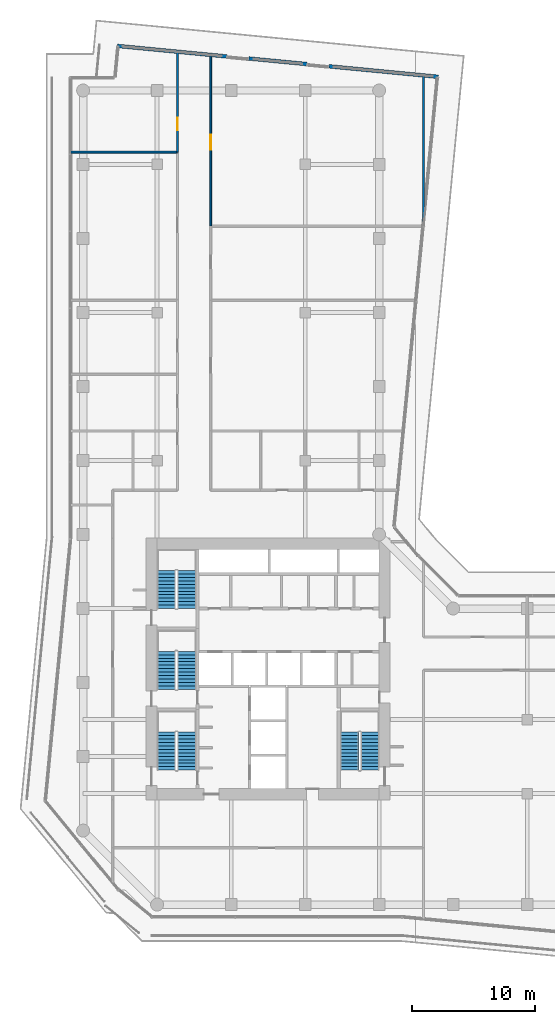
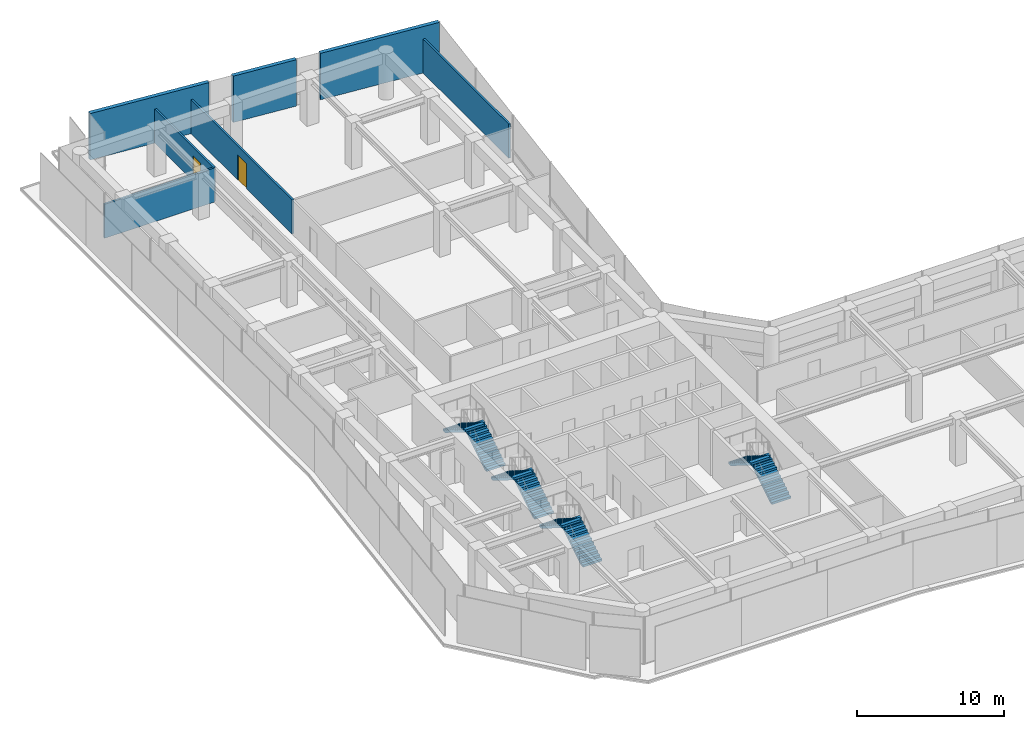
# One storey, part 29 of 31: 8 stair flights, 7 walls, 2 doors, 2 openings, 4 elements without a shape of their own.
"""IFC4 building model written with IfcOpenShell, lengths in metres."""

import ifcopenshell
import ifcopenshell.guid

model = None  # the IFC model being written
_history = None  # IfcOwnerHistory: only IFC2X3 demands one
_inside = {}  # id of a spatial element -> (the spatial element, [elements in it])
_under = {}  # id of a project, library or spatial element -> (it, [spatial elements below it])
_declared = {}  # id of a project -> (the project, [libraries it declares])
_typed = {}  # id of a type object -> (the type object, [elements of that type])
_made_of = {}  # id of a material, layer set ... -> (it, [elements and type objects made of it])


def new_model(schema):
    """Start an empty IFC model of exactly this schema.

    Asked for "IFC4X3", IfcOpenShell would pick the latest addendum, in which some entities
    have other attributes; the version numbers below select the first issue.
    IFC2X3 requires an IfcOwnerHistory on every rooted entity: one is made here for all.
    """
    global model, _history
    if schema == "IFC4X3":
        model = ifcopenshell.file(schema_version=(4, 3, 0, 0))
    else:
        model = ifcopenshell.file(schema=schema)
    _inside.clear()
    _under.clear()
    _declared.clear()
    _typed.clear()
    _made_of.clear()
    _history = None
    if model.schema == "IFC2X3":
        org = make("IfcOrganization", Name="unknown")
        user = make(
            "IfcPersonAndOrganization",
            ThePerson=make("IfcPerson", FamilyName="unknown"),
            TheOrganization=org,
        )
        app = make(
            "IfcApplication",
            ApplicationDeveloper=org,
            Version="unknown",
            ApplicationFullName="unknown",
            ApplicationIdentifier="unknown",
        )
        _history = make(
            "IfcOwnerHistory",
            OwningUser=user,
            OwningApplication=app,
            ChangeAction="ADDED",
            CreationDate=0,
        )
    return model


def make(cls, **values):
    """One entity of the class cls with the attributes given. An attribute that is None is left unset."""
    return model.create_entity(
        cls, **{name: value for name, value in values.items() if value is not None}
    )


def rooted(cls, **values):
    """An entity with a GlobalId (a new one), such as an element, a storey or a relation."""
    return make(cls, GlobalId=ifcopenshell.guid.new(), OwnerHistory=_history, **values)


def si_unit(unit_type, name, prefix=None):
    """IfcSIUnit, for example si_unit("LENGTHUNIT", "METRE", prefix="MILLI")."""
    return make("IfcSIUnit", UnitType=unit_type, Prefix=prefix, Name=name)


def assignment(units):
    """IfcUnitAssignment: the units of a project."""
    return None if units is None else make("IfcUnitAssignment", Units=units)


def point(xyz):
    """IfcCartesianPoint."""
    return None if xyz is None else make("IfcCartesianPoint", Coordinates=xyz)


def direction(xyz):
    """IfcDirection."""
    return None if xyz is None else make("IfcDirection", DirectionRatios=xyz)


def frame(location, z_axis=None, x_axis=None):
    """IfcAxis2Placement3D, a coordinate frame: its origin and axes. An axis left out is left unset."""
    return make(
        "IfcAxis2Placement3D",
        Location=point(location),
        Axis=direction(z_axis),
        RefDirection=direction(x_axis),
    )


def frame_2d(location, x_axis=None):
    """IfcAxis2Placement2D, a coordinate frame in the plane: its origin and x axis."""
    return make(
        "IfcAxis2Placement2D", Location=point(location), RefDirection=direction(x_axis)
    )


def origin():
    """The frame at (0, 0, 0) with its axes left unset."""
    return frame((0.0, 0.0, 0.0))


def place(relative_to, where):
    """IfcLocalPlacement: puts the frame where relative to a parent placement (None: the world)."""
    return make(
        "IfcLocalPlacement", PlacementRelTo=relative_to, RelativePlacement=where
    )


def context(
    kind, dimensions, precision=None, world=None, true_north=None, identifier=None
):
    """IfcGeometricRepresentationContext, for example the 3D "Model" context."""
    return make(
        "IfcGeometricRepresentationContext",
        ContextIdentifier=identifier,
        ContextType=kind,
        CoordinateSpaceDimension=dimensions,
        Precision=precision,
        WorldCoordinateSystem=world,
        TrueNorth=true_north,
    )


def subcontext(parent, identifier, kind, view, scale=None):
    """IfcGeometricRepresentationSubContext, for example "Body" below "Model"."""
    return make(
        "IfcGeometricRepresentationSubContext",
        ContextIdentifier=identifier,
        ContextType=kind,
        ParentContext=parent,
        TargetScale=scale,
        TargetView=view,
    )


def project(units=None, contexts=None):
    """IfcProject with its units and contexts."""
    return rooted(
        "IfcProject",
        Name="project",
        RepresentationContexts=contexts,
        UnitsInContext=assignment(units),
    )


def spatial(cls, under=None, at=None, **own):
    """A site, building, storey or space (cls), placed at a placement, below another one or the project."""
    s = rooted(cls, ObjectPlacement=at, **own)
    if under is not None:
        _under.setdefault(under.id(), (under, []))[1].append(s)
    return s


def polyline(points):
    """IfcPolyline through the points."""
    return make("IfcPolyline", Points=[point(p) for p in points])


def profile(cls, at=None, kind="AREA", **sizes):
    """A parametric profile (cls). Its sizes go by their IFC names, for example OverallWidth=200.0."""
    return make(cls, ProfileType=kind, Position=at, **sizes)


def rectangle(**sizes):
    """IfcRectangleProfileDef."""
    return profile("IfcRectangleProfileDef", **sizes)


def outline(outer, holes=None, kind="AREA"):
    """IfcArbitraryClosedProfileDef: a profile drawn as a closed curve; with holes, ...WithVoids."""
    if holes is None:
        return make("IfcArbitraryClosedProfileDef", ProfileType=kind, OuterCurve=outer)
    return make(
        "IfcArbitraryProfileDefWithVoids",
        ProfileType=kind,
        OuterCurve=outer,
        InnerCurves=holes,
    )


def extrude(swept, where, along, depth):
    """IfcExtrudedAreaSolid: the profile swept, set in the frame where, extruded along a direction by depth."""
    return make(
        "IfcExtrudedAreaSolid",
        SweptArea=swept,
        Position=where,
        ExtrudedDirection=direction(along),
        Depth=depth,
    )


def shape(context_of_items, identifier, shape_type, items):
    """IfcShapeRepresentation: the items that make up one representation, for example the "Body"."""
    return make(
        "IfcShapeRepresentation",
        ContextOfItems=context_of_items,
        RepresentationIdentifier=identifier,
        RepresentationType=shape_type,
        Items=items,
    )


def material(Name=None, Category=None):
    """IfcMaterial."""
    return make("IfcMaterial", Name=Name, Category=Category)


def layer(
    of_material, thickness, ventilated=None, Name=None, Category=None, Priority=None
):
    """IfcMaterialLayer: one layer of a wall or slab, of a material (None: an air gap)."""
    return make(
        "IfcMaterialLayer",
        Material=of_material,
        LayerThickness=thickness,
        IsVentilated=ventilated,
        Name=Name,
        Category=Category,
        Priority=Priority,
    )


def layer_set(layers, Name=None):
    """IfcMaterialLayerSet."""
    return make("IfcMaterialLayerSet", MaterialLayers=layers, LayerSetName=Name)


def made_of(thing, what):
    """Note that an element or type object is made of a material, layer set ...; save() writes the relation."""
    if what is not None:
        _made_of.setdefault(what.id(), (what, []))[1].append(thing)
    return thing


def type_object(cls, material=None, **own):
    """A type object (cls), such as IfcWallType, which elements share."""
    return made_of(rooted(cls, **own), material)


def element(
    cls,
    number,
    at=None,
    inside=None,
    cuts=None,
    type_object=None,
    material=None,
    context=None,
    identifier="Body",
    shape_type=None,
    held_by="IfcProductDefinitionShape",
    body=None,
    shapes=None,
    **own,
):
    """One element of the class cls, such as IfcWall. Its Tag is "e" and its number.

    at: its placement. inside: the storey or other place that contains it. cuts: it is an
    opening in that element (IfcRelVoidsElement). A single representation is given by context,
    identifier, shape_type and body (its items); several are given by shapes. held_by: the class
    of the entity that holds the representations. save() writes the other relations.
    """
    e = rooted(cls, Tag="e%d" % number, ObjectPlacement=at, **own)
    if body is not None:
        shapes = [shape(context, identifier, shape_type, body)]
    if shapes is not None:
        e.Representation = make(held_by, Representations=shapes)
    if inside is not None:
        _inside.setdefault(inside.id(), (inside, []))[1].append(e)
    if cuts is not None:
        rooted(
            "IfcRelVoidsElement", RelatingBuildingElement=cuts, RelatedOpeningElement=e
        )
    if type_object is not None:
        _typed.setdefault(type_object.id(), (type_object, []))[1].append(e)
    return made_of(e, material)


def fill(opening, filler):
    """IfcRelFillsElement: the door or window that sits in an opening."""
    return rooted(
        "IfcRelFillsElement",
        RelatingOpeningElement=opening,
        RelatedBuildingElement=filler,
    )


def aggregate(whole, parts):
    """IfcRelAggregates: a whole, such as a stair, and the parts it consists of."""
    return rooted("IfcRelAggregates", RelatingObject=whole, RelatedObjects=parts)


def save(model, path):
    """Write the relations noted so far, then the file.

    IfcRelAggregates (storeys below a building ...), IfcRelContainedInSpatialStructure (elements
    in a storey), IfcRelDefinesByType, IfcRelAssociatesMaterial and IfcRelDeclares: one each for
    every whole, place, type object, material and project.
    """
    for whole, parts in _under.values():
        aggregate(whole, parts)
    for where, things in _inside.values():
        rooted(
            "IfcRelContainedInSpatialStructure",
            RelatedElements=things,
            RelatingStructure=where,
        )
    for kind, things in _typed.values():
        rooted("IfcRelDefinesByType", RelatedObjects=things, RelatingType=kind)
    for what, things in _made_of.values():
        rooted("IfcRelAssociatesMaterial", RelatedObjects=things, RelatingMaterial=what)
    for by, libraries in _declared.values():
        rooted("IfcRelDeclares", RelatingContext=by, RelatedDefinitions=libraries)
    model.write(path)


model = new_model("IFC4")

# Units and contexts
model_context = context("Model", 3, precision=1e-05, world=origin(), true_north=direction((0.0, 1.0)))
body_context = subcontext(model_context, "Body", "Model", "MODEL_VIEW")
ifc_project = project(units=[si_unit("LENGTHUNIT", "METRE"), si_unit("AREAUNIT", "SQUARE_METRE"), si_unit("VOLUMEUNIT", "CUBIC_METRE"), si_unit("PLANEANGLEUNIT", "RADIAN"), si_unit("MASSUNIT", "GRAM", prefix="KILO")], contexts=[model_context])

# Site, building, storey
site_placement = place(None, origin())
site = spatial("IfcSite", under=ifc_project, at=site_placement, CompositionType="ELEMENT")
building_placement = place(site_placement, origin())
building = spatial("IfcBuilding", under=site, at=building_placement, Name="Welwitschia Terrace Campus", CompositionType="ELEMENT")
storey_placement = place(building_placement, frame((0.0, 0.0, 29.0)))
storey = spatial("IfcBuildingStorey", under=building, at=storey_placement, Name="L06", CompositionType="ELEMENT", Elevation=29.0)

# Wall
ifc_material_1 = material(Name="Gypsum board on steel studs", Category="steel")
ifc_layer_1 = layer(ifc_material_1, 0.14990234375)
ifc_layer_set_1 = layer_set([ifc_layer_1], Name="Gypsum board on steel studs")
wall_type_1 = type_object("IfcWallType", Name="Corridor partition 150 EI 30", PredefinedType="PARTITIONING", material=ifc_layer_set_1)
wall_1_placement = place(storey_placement, frame((-1.010009765625, 57.0, 0.0), z_axis=(0.0, 0.0, 1.0), x_axis=(1.0, 0.0, 0.0)))
element("IfcWall", 1, at=wall_1_placement, inside=storey, type_object=wall_type_1, Name="Partition", PredefinedType="PARTITIONING", context=body_context, shape_type="SweptSolid", body=[
    extrude(rectangle(XDim=8.659912109375, YDim=0.14990234375, at=frame_2d((4.330078125, 0.0))), origin(), (0.0, 0.0, 1.0), 2.830078125),
])

# Wall, opening, door
wall_2_placement = place(storey_placement, frame((7.64990234375, 57.0, 0.0), z_axis=(0.0, 0.0, 1.0), x_axis=(0.0, 1.0, 0.0)))
wall_2 = element("IfcWall", 2, at=wall_2_placement, inside=storey, type_object=wall_type_1, Name="Partition", PredefinedType="PARTITIONING", context=body_context, shape_type="SweptSolid", body=[
    extrude(rectangle(XDim=8.186767578125, YDim=0.14990234375, at=frame_2d((4.09326171875, 0.0))), origin(), (0.0, 0.0, 1.0), 2.830078125),
])
opening_1_placement = place(wall_2_placement, frame((1.780029296875, 0.0, 0.0)))
opening_1 = element("IfcOpeningElement", 3, at=opening_1_placement, cuts=wall_2, Name="Opening DI10", PredefinedType="OPENING", context=body_context, shape_type="SweptSolid", body=[
    extrude(rectangle(XDim=1.0, YDim=2.10009765625, at=frame_2d((0.5, 1.050048828125))), frame((0.0, 0.0849609375, 0.0), z_axis=(0.0, -1.0, 0.0), x_axis=(1.0, 0.0, 0.0)), (0.0, 0.0, 1.0), 0.169921875),
])
ifc_material_2 = material(Name="Timber veneered door", Category="wood")
door_type_1 = type_object("IfcDoorType", Name="Interior door DI10", OperationType="NOTDEFINED", PredefinedType="DOOR", material=ifc_material_2)
door_1_placement = place(opening_1_placement, origin())
door_1 = element("IfcDoor", 4, at=door_1_placement, inside=storey, type_object=door_type_1, Name="Door L06 153", OperationType="SINGLE_SWING_RIGHT", OverallHeight=2.10009765625, OverallWidth=1.0, PredefinedType="DOOR", context=body_context, shape_type="SweptSolid", body=[
    extrude(rectangle(XDim=1.0, YDim=2.10009765625, at=frame_2d((0.5, 1.050048828125))), frame((0.0, 0.02490234375, 0.0), z_axis=(0.0, -1.0, 0.0), x_axis=(1.0, 0.0, 0.0)), (0.0, 0.0, 1.0), 0.050048828125),
])
fill(opening_1, door_1)

wall_3_placement = place(storey_placement, frame((10.35009765625, 64.9267578125, 0.0), z_axis=(0.0, 0.0, 1.0), x_axis=(0.0, -1.0, 0.0)))
wall_3 = element("IfcWall", 5, at=wall_3_placement, inside=storey, type_object=wall_type_1, Name="Partition", PredefinedType="PARTITIONING", context=body_context, shape_type="SweptSolid", body=[
    extrude(rectangle(XDim=13.9267578125, YDim=0.14990234375, at=frame_2d((6.96337890625, 0.0))), origin(), (0.0, 0.0, 1.0), 2.830078125),
])
opening_2_placement = place(wall_3_placement, frame((6.526611328125, 0.0, 0.0)))
opening_2 = element("IfcOpeningElement", 6, at=opening_2_placement, cuts=wall_3, Name="Opening DI12", PredefinedType="OPENING", context=body_context, shape_type="SweptSolid", body=[
    extrude(rectangle(XDim=1.199951171875, YDim=2.10009765625, at=frame_2d((0.60009765625, 1.050048828125))), frame((0.0, 0.0849609375, 0.0), z_axis=(0.0, -1.0, 0.0), x_axis=(1.0, 0.0, 0.0)), (0.0, 0.0, 1.0), 0.169921875),
])
ifc_material_3 = material(Name="Timber veneered door", Category="wood")
door_type_2 = type_object("IfcDoorType", Name="Interior door DI12", OperationType="NOTDEFINED", PredefinedType="DOOR", material=ifc_material_3)
door_2_placement = place(opening_2_placement, origin())
door_2 = element("IfcDoor", 7, at=door_2_placement, inside=storey, type_object=door_type_2, Name="Door L06 156", OperationType="SINGLE_SWING_LEFT", OverallHeight=2.10009765625, OverallWidth=1.199951171875, PredefinedType="DOOR", context=body_context, shape_type="SweptSolid", body=[
    extrude(rectangle(XDim=1.199951171875, YDim=2.10009765625, at=frame_2d((0.60009765625, 1.050048828125))), frame((0.0, 0.02490234375, 0.0), z_axis=(0.0, -1.0, 0.0), x_axis=(1.0, 0.0, 0.0)), (0.0, 0.0, 1.0), 0.050048828125),
])
fill(opening_2, door_2)

# Walls
wall_4_placement = place(storey_placement, frame((27.60009765625, 51.4169921875, 0.0), z_axis=(0.0, 0.0, 1.0), x_axis=(0.0, 1.0, 0.0)))
element("IfcWall", 8, at=wall_4_placement, inside=storey, type_object=wall_type_1, Name="Partition", PredefinedType="PARTITIONING", context=body_context, shape_type="SweptSolid", body=[
    extrude(rectangle(XDim=11.8486328125, YDim=0.14990234375, at=frame_2d((5.92431640625, 0.0))), origin(), (0.0, 0.0, 1.0), 2.830078125),
])
ifc_material_4 = material(Name="Concrete C40/50", Category="concrete")
ifc_layer_2 = layer(ifc_material_4, 0.300048828125)
ifc_layer_set_2 = layer_set([ifc_layer_2], Name="Concrete C40/50")
wall_type_2 = type_object("IfcWallType", Name="Mass wall 300", PredefinedType="SOLIDWALL", material=ifc_layer_set_2)
wall_5_placement = place(storey_placement, frame((28.785888671875, 63.107177734375, 0.0), z_axis=(0.0, 0.0, 1.0), x_axis=(-0.995397352985, 0.095833760598, 0.0)))
element("IfcWall", 9, at=wall_5_placement, inside=storey, type_object=wall_type_2, Name="Mass wall L06.13.0", PredefinedType="SOLIDWALL", context=body_context, shape_type="SweptSolid", body=[
    extrude(rectangle(XDim=8.8935546875, YDim=0.300048828125, at=frame_2d((4.44677734375, 0.0))), origin(), (0.0, 0.0, 1.0), 3.85009765625),
])
wall_6_placement = place(storey_placement, frame((18.14208984375, 64.13818359375, 0.0), z_axis=(0.0, 0.0, 1.0), x_axis=(-0.99539842865, 0.095822587322, 0.0)))
element("IfcWall", 10, at=wall_6_placement, inside=storey, type_object=wall_type_2, Name="Mass wall L06.13.1", PredefinedType="SOLIDWALL", context=body_context, shape_type="SweptSolid", body=[
    extrude(rectangle(XDim=4.728759765625, YDim=0.300048828125, at=frame_2d((2.3642578125, 0.0))), origin(), (0.0, 0.0, 1.0), 3.85009765625),
])
wall_7_placement = place(storey_placement, frame((11.642578125, 64.7578125, 0.0), z_axis=(0.0, 0.0, 1.0), x_axis=(-0.995397352985, 0.095833760598, 0.0)))
element("IfcWall", 11, at=wall_7_placement, inside=storey, type_object=wall_type_2, Name="Mass wall L06.13.2", PredefinedType="SOLIDWALL", context=body_context, shape_type="SweptSolid", body=[
    extrude(rectangle(XDim=8.8935546875, YDim=0.300048828125, at=frame_2d((4.44677734375, 0.0))), origin(), (0.0, 0.0, 1.0), 3.85009765625),
])

# Stair, stair flights
ifc_material_5 = material(Name="Concrete C40/50", Category="concrete")
stair_type = type_object("IfcStairType", Name="Stair 24R 175 W1500", PredefinedType="HALF_TURN_STAIR", material=ifc_material_5)
stair_1_placement = place(storey_placement, origin())
stair_1 = element("IfcStair", 12, at=stair_1_placement, inside=storey, type_object=stair_type, Name="L06 Exit stair S1", PredefinedType="HALF_TURN_STAIR")
ifc_material_6 = material(Name="Concrete C40/50", Category="concrete")
stair_flight_type = type_object("IfcStairFlightType", Name="Stair flight 24R 175 W1500", PredefinedType="STRAIGHT", material=ifc_material_6)
stair_flight_1_placement = place(storey_placement, frame((8.39990234375, 6.89990234375, 0.0), z_axis=(0.0, 0.0, 1.0), x_axis=(0.0, 1.0, 0.0)))
stair_flight_1 = element("IfcStairFlight", 13, at=stair_flight_1_placement, type_object=stair_flight_type, Name="S1 flight 1", NumberOfRisers=12, NumberOfTreads=11, PredefinedType="STRAIGHT", RiserHeight=0.175, TreadLength=0.28, context=body_context, shape_type="SweptSolid", body=[
    extrude(outline(polyline([(0.0, 0.0), (0.0, 0.175048828125), (0.280029296875, 0.175048828125), (0.280029296875, 0.35009765625), (0.56005859375, 0.35009765625), (0.56005859375, 0.52490234375), (0.840087890625, 0.52490234375), (0.840087890625, 0.699951171875), (1.1201171875, 0.699951171875), (1.1201171875, 0.875), (1.39990234375, 0.875), (1.39990234375, 1.050048828125), (1.679931640625, 1.050048828125), (1.679931640625, 1.22509765625), (1.9599609375, 1.22509765625), (1.9599609375, 1.39990234375), (2.239990234375, 1.39990234375), (2.239990234375, 1.574951171875), (2.52001953125, 1.574951171875), (2.52001953125, 1.75), (2.800048828125, 1.75), (2.800048828125, 1.925048828125), (3.080078125, 1.925048828125), (3.080078125, 2.10009765625), (3.080078125, 1.748291015625), (0.28271484375, 0.0), (0.0, 0.0)])), frame((0.0, 0.75, 0.0), z_axis=(0.0, -1.0, 0.0), x_axis=(1.0, 0.0, 0.0)), (0.0, 0.0, 1.0), 1.5),
])
stair_flight_2_placement = place(storey_placement, frame((6.75, 9.97998046875, 2.10009765625), z_axis=(0.0, 0.0, 1.0), x_axis=(0.0, -1.0, 0.0)))
stair_flight_2 = element("IfcStairFlight", 14, at=stair_flight_2_placement, type_object=stair_flight_type, Name="S1 flight 2", NumberOfRisers=12, NumberOfTreads=11, PredefinedType="STRAIGHT", RiserHeight=0.175, TreadLength=0.28, context=body_context, shape_type="SweptSolid", body=[
    extrude(outline(polyline([(0.0, 0.0), (0.0, 0.175048828125), (0.280029296875, 0.175048828125), (0.280029296875, 0.35009765625), (0.56005859375, 0.35009765625), (0.56005859375, 0.52490234375), (0.840087890625, 0.52490234375), (0.840087890625, 0.699951171875), (1.1201171875, 0.699951171875), (1.1201171875, 0.875), (1.39990234375, 0.875), (1.39990234375, 1.050048828125), (1.679931640625, 1.050048828125), (1.679931640625, 1.22509765625), (1.9599609375, 1.22509765625), (1.9599609375, 1.39990234375), (2.239990234375, 1.39990234375), (2.239990234375, 1.574951171875), (2.52001953125, 1.574951171875), (2.52001953125, 1.75), (2.800048828125, 1.75), (2.800048828125, 1.925048828125), (3.080078125, 1.925048828125), (3.080078125, 2.10009765625), (3.080078125, 1.748291015625), (0.28271484375, 0.0), (0.0, 0.0)])), frame((0.0, 0.75, 0.0), z_axis=(0.0, -1.0, 0.0), x_axis=(1.0, 0.0, 0.0)), (0.0, 0.0, 1.0), 1.5),
])
aggregate(stair_1, [stair_flight_1, stair_flight_2])

stair_2_placement = place(storey_placement, origin())
stair_2 = element("IfcStair", 15, at=stair_2_placement, inside=storey, type_object=stair_type, Name="L06 Exit stair S3", PredefinedType="HALF_TURN_STAIR")
stair_flight_3_placement = place(storey_placement, frame((8.39990234375, 13.449951171875, 0.0), z_axis=(0.0, 0.0, 1.0), x_axis=(0.0, 1.0, 0.0)))
stair_flight_3 = element("IfcStairFlight", 16, at=stair_flight_3_placement, type_object=stair_flight_type, Name="S3 flight 1", NumberOfRisers=12, NumberOfTreads=11, PredefinedType="STRAIGHT", RiserHeight=0.175, TreadLength=0.28, context=body_context, shape_type="SweptSolid", body=[
    extrude(outline(polyline([(0.0, 0.0), (0.0, 0.175048828125), (0.280029296875, 0.175048828125), (0.280029296875, 0.35009765625), (0.56005859375, 0.35009765625), (0.56005859375, 0.52490234375), (0.840087890625, 0.52490234375), (0.840087890625, 0.699951171875), (1.1201171875, 0.699951171875), (1.1201171875, 0.875), (1.39990234375, 0.875), (1.39990234375, 1.050048828125), (1.679931640625, 1.050048828125), (1.679931640625, 1.22509765625), (1.9599609375, 1.22509765625), (1.9599609375, 1.39990234375), (2.239990234375, 1.39990234375), (2.239990234375, 1.574951171875), (2.52001953125, 1.574951171875), (2.52001953125, 1.75), (2.800048828125, 1.75), (2.800048828125, 1.925048828125), (3.080078125, 1.925048828125), (3.080078125, 2.10009765625), (3.080078125, 1.748291015625), (0.28271484375, 0.0), (0.0, 0.0)])), frame((0.0, 0.75, 0.0), z_axis=(0.0, -1.0, 0.0), x_axis=(1.0, 0.0, 0.0)), (0.0, 0.0, 1.0), 1.5),
])
stair_flight_4_placement = place(storey_placement, frame((6.75, 16.530029296875, 2.10009765625), z_axis=(0.0, 0.0, 1.0), x_axis=(0.0, -1.0, 0.0)))
stair_flight_4 = element("IfcStairFlight", 17, at=stair_flight_4_placement, type_object=stair_flight_type, Name="S3 flight 2", NumberOfRisers=12, NumberOfTreads=11, PredefinedType="STRAIGHT", RiserHeight=0.175, TreadLength=0.28, context=body_context, shape_type="SweptSolid", body=[
    extrude(outline(polyline([(0.0, 0.0), (0.0, 0.175048828125), (0.280029296875, 0.175048828125), (0.280029296875, 0.35009765625), (0.56005859375, 0.35009765625), (0.56005859375, 0.52490234375), (0.840087890625, 0.52490234375), (0.840087890625, 0.699951171875), (1.1201171875, 0.699951171875), (1.1201171875, 0.875), (1.39990234375, 0.875), (1.39990234375, 1.050048828125), (1.679931640625, 1.050048828125), (1.679931640625, 1.22509765625), (1.9599609375, 1.22509765625), (1.9599609375, 1.39990234375), (2.239990234375, 1.39990234375), (2.239990234375, 1.574951171875), (2.52001953125, 1.574951171875), (2.52001953125, 1.75), (2.800048828125, 1.75), (2.800048828125, 1.925048828125), (3.080078125, 1.925048828125), (3.080078125, 2.10009765625), (3.080078125, 1.748291015625), (0.28271484375, 0.0), (0.0, 0.0)])), frame((0.0, 0.75, 0.0), z_axis=(0.0, -1.0, 0.0), x_axis=(1.0, 0.0, 0.0)), (0.0, 0.0, 1.0), 1.5),
])
aggregate(stair_2, [stair_flight_3, stair_flight_4])

stair_3_placement = place(storey_placement, origin())
stair_3 = element("IfcStair", 18, at=stair_3_placement, inside=storey, type_object=stair_type, Name="L06 Exit stair S4", PredefinedType="HALF_TURN_STAIR")
stair_flight_5_placement = place(storey_placement, frame((8.39990234375, 20.0, 0.0), z_axis=(0.0, 0.0, 1.0), x_axis=(0.0, 1.0, 0.0)))
stair_flight_5 = element("IfcStairFlight", 19, at=stair_flight_5_placement, type_object=stair_flight_type, Name="S4 flight 1", NumberOfRisers=12, NumberOfTreads=11, PredefinedType="STRAIGHT", RiserHeight=0.175, TreadLength=0.28, context=body_context, shape_type="SweptSolid", body=[
    extrude(outline(polyline([(0.0, 0.0), (0.0, 0.175048828125), (0.280029296875, 0.175048828125), (0.280029296875, 0.35009765625), (0.56005859375, 0.35009765625), (0.56005859375, 0.52490234375), (0.840087890625, 0.52490234375), (0.840087890625, 0.699951171875), (1.1201171875, 0.699951171875), (1.1201171875, 0.875), (1.39990234375, 0.875), (1.39990234375, 1.050048828125), (1.679931640625, 1.050048828125), (1.679931640625, 1.22509765625), (1.9599609375, 1.22509765625), (1.9599609375, 1.39990234375), (2.239990234375, 1.39990234375), (2.239990234375, 1.574951171875), (2.52001953125, 1.574951171875), (2.52001953125, 1.75), (2.800048828125, 1.75), (2.800048828125, 1.925048828125), (3.080078125, 1.925048828125), (3.080078125, 2.10009765625), (3.080078125, 1.748291015625), (0.28271484375, 0.0), (0.0, 0.0)])), frame((0.0, 0.75, 0.0), z_axis=(0.0, -1.0, 0.0), x_axis=(1.0, 0.0, 0.0)), (0.0, 0.0, 1.0), 1.5),
])
stair_flight_6_placement = place(storey_placement, frame((6.75, 23.080078125, 2.10009765625), z_axis=(0.0, 0.0, 1.0), x_axis=(0.0, -1.0, 0.0)))
stair_flight_6 = element("IfcStairFlight", 20, at=stair_flight_6_placement, type_object=stair_flight_type, Name="S4 flight 2", NumberOfRisers=12, NumberOfTreads=11, PredefinedType="STRAIGHT", RiserHeight=0.175, TreadLength=0.28, context=body_context, shape_type="SweptSolid", body=[
    extrude(outline(polyline([(0.0, 0.0), (0.0, 0.175048828125), (0.280029296875, 0.175048828125), (0.280029296875, 0.35009765625), (0.56005859375, 0.35009765625), (0.56005859375, 0.52490234375), (0.840087890625, 0.52490234375), (0.840087890625, 0.699951171875), (1.1201171875, 0.699951171875), (1.1201171875, 0.875), (1.39990234375, 0.875), (1.39990234375, 1.050048828125), (1.679931640625, 1.050048828125), (1.679931640625, 1.22509765625), (1.9599609375, 1.22509765625), (1.9599609375, 1.39990234375), (2.239990234375, 1.39990234375), (2.239990234375, 1.574951171875), (2.52001953125, 1.574951171875), (2.52001953125, 1.75), (2.800048828125, 1.75), (2.800048828125, 1.925048828125), (3.080078125, 1.925048828125), (3.080078125, 2.10009765625), (3.080078125, 1.748291015625), (0.28271484375, 0.0), (0.0, 0.0)])), frame((0.0, 0.75, 0.0), z_axis=(0.0, -1.0, 0.0), x_axis=(1.0, 0.0, 0.0)), (0.0, 0.0, 1.0), 1.5),
])
aggregate(stair_3, [stair_flight_5, stair_flight_6])

stair_4_placement = place(storey_placement, origin())
stair_4 = element("IfcStair", 21, at=stair_4_placement, inside=storey, type_object=stair_type, Name="L06 Exit stair S2", PredefinedType="HALF_TURN_STAIR")
stair_flight_7_placement = place(storey_placement, frame((23.25, 6.89990234375, 0.0), z_axis=(0.0, 0.0, 1.0), x_axis=(0.0, 1.0, 0.0)))
stair_flight_7 = element("IfcStairFlight", 22, at=stair_flight_7_placement, type_object=stair_flight_type, Name="S2 flight 1", NumberOfRisers=12, NumberOfTreads=11, PredefinedType="STRAIGHT", RiserHeight=0.175, TreadLength=0.28, context=body_context, shape_type="SweptSolid", body=[
    extrude(outline(polyline([(0.0, 0.0), (0.0, 0.175048828125), (0.280029296875, 0.175048828125), (0.280029296875, 0.35009765625), (0.56005859375, 0.35009765625), (0.56005859375, 0.52490234375), (0.840087890625, 0.52490234375), (0.840087890625, 0.699951171875), (1.1201171875, 0.699951171875), (1.1201171875, 0.875), (1.39990234375, 0.875), (1.39990234375, 1.050048828125), (1.679931640625, 1.050048828125), (1.679931640625, 1.22509765625), (1.9599609375, 1.22509765625), (1.9599609375, 1.39990234375), (2.239990234375, 1.39990234375), (2.239990234375, 1.574951171875), (2.52001953125, 1.574951171875), (2.52001953125, 1.75), (2.800048828125, 1.75), (2.800048828125, 1.925048828125), (3.080078125, 1.925048828125), (3.080078125, 2.10009765625), (3.080078125, 1.748291015625), (0.28271484375, 0.0), (0.0, 0.0)])), frame((0.0, 0.75, 0.0), z_axis=(0.0, -1.0, 0.0), x_axis=(1.0, 0.0, 0.0)), (0.0, 0.0, 1.0), 1.5),
])
stair_flight_8_placement = place(storey_placement, frame((21.60009765625, 9.97998046875, 2.10009765625), z_axis=(0.0, 0.0, 1.0), x_axis=(0.0, -1.0, 0.0)))
stair_flight_8 = element("IfcStairFlight", 23, at=stair_flight_8_placement, type_object=stair_flight_type, Name="S2 flight 2", NumberOfRisers=12, NumberOfTreads=11, PredefinedType="STRAIGHT", RiserHeight=0.175, TreadLength=0.28, context=body_context, shape_type="SweptSolid", body=[
    extrude(outline(polyline([(0.0, 0.0), (0.0, 0.175048828125), (0.280029296875, 0.175048828125), (0.280029296875, 0.35009765625), (0.56005859375, 0.35009765625), (0.56005859375, 0.52490234375), (0.840087890625, 0.52490234375), (0.840087890625, 0.699951171875), (1.1201171875, 0.699951171875), (1.1201171875, 0.875), (1.39990234375, 0.875), (1.39990234375, 1.050048828125), (1.679931640625, 1.050048828125), (1.679931640625, 1.22509765625), (1.9599609375, 1.22509765625), (1.9599609375, 1.39990234375), (2.239990234375, 1.39990234375), (2.239990234375, 1.574951171875), (2.52001953125, 1.574951171875), (2.52001953125, 1.75), (2.800048828125, 1.75), (2.800048828125, 1.925048828125), (3.080078125, 1.925048828125), (3.080078125, 2.10009765625), (3.080078125, 1.748291015625), (0.28271484375, 0.0), (0.0, 0.0)])), frame((0.0, 0.75, 0.0), z_axis=(0.0, -1.0, 0.0), x_axis=(1.0, 0.0, 0.0)), (0.0, 0.0, 1.0), 1.5),
])
aggregate(stair_4, [stair_flight_7, stair_flight_8])

save(model, "model.ifc")
